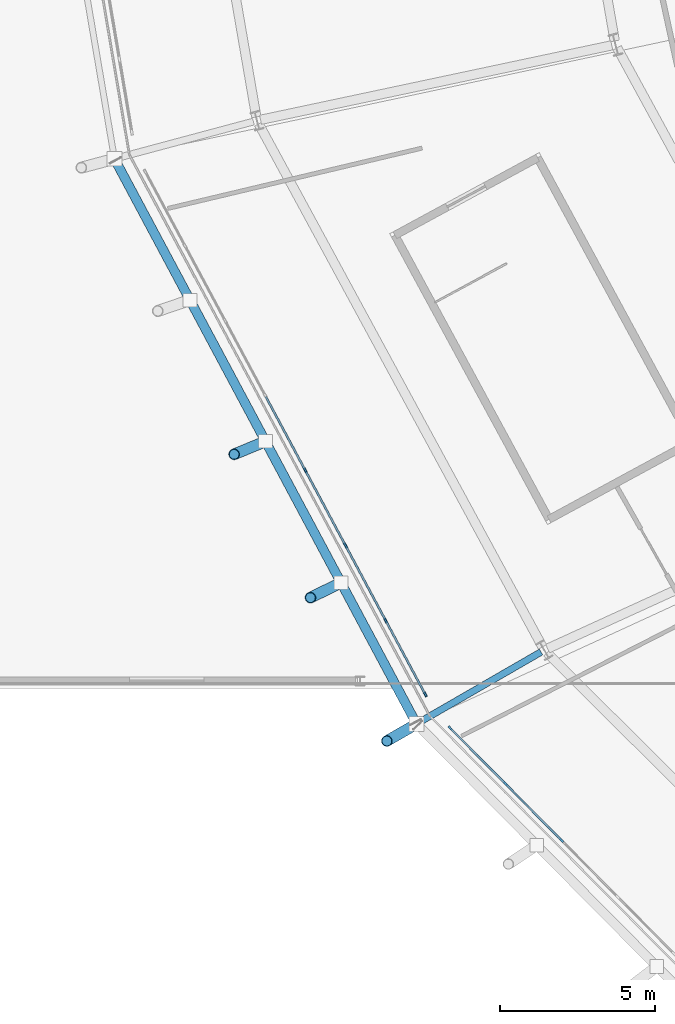
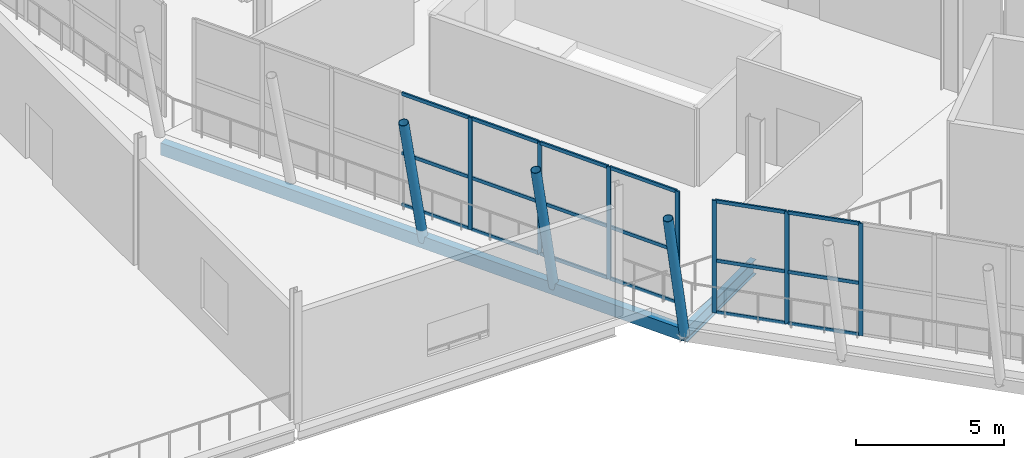
# One storey, part 16 of 126: 28 members, 2 beams, 2 elements without a shape of their own.
"""IFC4 building model written with IfcOpenShell, lengths in metres."""

from ifc_helpers import new_model, si_unit, direction, frame, origin, origin_2d, place, context, subcontext, project, spatial, rectangle, hollow_rectangle, hollow_circle, i_section, extrude, material, material_profile, profile_set, type_object, element, aggregate, save


model = new_model("IFC4")

# Units and contexts
model_context = context("Model", 3, precision=1e-05, world=origin(), true_north=direction((0.0, 1.0)))
body_context = subcontext(model_context, "Body", "Model", "MODEL_VIEW")
ifc_project = project(units=[si_unit("LENGTHUNIT", "METRE"), si_unit("AREAUNIT", "SQUARE_METRE"), si_unit("VOLUMEUNIT", "CUBIC_METRE"), si_unit("PLANEANGLEUNIT", "RADIAN"), si_unit("MASSUNIT", "GRAM", prefix="KILO")], contexts=[model_context])

# Site, building, storey
site_placement = place(None, origin())
site = spatial("IfcSite", under=ifc_project, at=site_placement, CompositionType="ELEMENT")
building_placement = place(site_placement, origin())
building = spatial("IfcBuilding", under=site, at=building_placement, Name="Zlatoyarsky Gate Stadium", CompositionType="ELEMENT")
storey_placement = place(building_placement, frame((0.0, 0.0, 20.800048828125)))
storey = spatial("IfcBuildingStorey", under=building, at=storey_placement, Name="L04", CompositionType="ELEMENT", Elevation=20.800048828125)

# Curtain wall, members
ifc_material_1 = material(Name="Thermally broken anodised aluminium curtain wall", Category="aluminium")
curtain_wall_type = type_object("IfcCurtainWallType", Name="UNITISED MEDIA RING GLAZING L04", PredefinedType="USERDEFINED", material=ifc_material_1)
curtain_wall_1_placement = place(storey_placement, origin())
curtain_wall_1 = element("IfcCurtainWall", 1, at=curtain_wall_1_placement, inside=storey, type_object=curtain_wall_type, Name="Curtain wall CW-L04-13", ObjectType="UNITISED GLAZING", PredefinedType="USERDEFINED")
ifc_material_2 = material(Name="Anodised aluminium 6063-T6", Category="aluminium")
ifc_material_profile_1 = material_profile(ifc_material_2, rectangle(XDim=0.06494140625, YDim=0.159912109375, at=origin_2d()), Name="ALU 65X160")
ifc_profile_set_1 = profile_set([ifc_material_profile_1], Name="Anodised aluminium 6063-T6")
member_type_1 = type_object("IfcMemberType", Name="ALUMINIUM MULLION 65X160", PredefinedType="MULLION", material=ifc_profile_set_1)
member_1_placement = place(storey_placement, frame((22.7353515625, 50.306396484375, 0.0), z_axis=(0.0, 0.0, 1.0), x_axis=(0.881520920878, 0.472144962966, 0.0)))
member_1 = element("IfcMember", 2, at=member_1_placement, type_object=member_type_1, Name="CW-UG4 mullion 5", PredefinedType="MULLION", context=body_context, shape_type="SweptSolid", body=[
    extrude(rectangle(XDim=0.06494140625, YDim=0.159912109375, at=origin_2d()), origin(), (0.0, 0.0, 1.0), 4.619873046875),
])
member_2_placement = place(storey_placement, frame((24.033203125, 47.8837890625, 0.0), z_axis=(0.0, 0.0, 1.0), x_axis=(0.881520920878, 0.472144962966, 0.0)))
member_2 = element("IfcMember", 3, at=member_2_placement, type_object=member_type_1, Name="CW-UG4 mullion 6", PredefinedType="MULLION", context=body_context, shape_type="SweptSolid", body=[
    extrude(rectangle(XDim=0.06494140625, YDim=0.159912109375, at=origin_2d()), origin(), (0.0, 0.0, 1.0), 4.619873046875),
])
member_3_placement = place(storey_placement, frame((25.330810546875, 45.4609375, 0.0), z_axis=(0.0, 0.0, 1.0), x_axis=(0.881520920878, 0.472144962966, 0.0)))
member_3 = element("IfcMember", 4, at=member_3_placement, type_object=member_type_1, Name="CW-UG4 mullion 7", PredefinedType="MULLION", context=body_context, shape_type="SweptSolid", body=[
    extrude(rectangle(XDim=0.06494140625, YDim=0.159912109375, at=origin_2d()), origin(), (0.0, 0.0, 1.0), 4.619873046875),
])
member_4_placement = place(storey_placement, frame((26.613037109375, 43.06689453125, 0.0), z_axis=(0.0, 0.0, 1.0), x_axis=(0.881520920878, 0.472144962966, 0.0)))
member_4 = element("IfcMember", 5, at=member_4_placement, type_object=member_type_1, Name="CW-UG4 mullion 8", PredefinedType="MULLION", context=body_context, shape_type="SweptSolid", body=[
    extrude(rectangle(XDim=0.06494140625, YDim=0.159912109375, at=origin_2d()), origin(), (0.0, 0.0, 1.0), 4.619873046875),
])

curtain_wall_2_placement = place(storey_placement, origin())
curtain_wall_2 = element("IfcCurtainWall", 6, at=curtain_wall_2_placement, inside=storey, type_object=curtain_wall_type, Name="Curtain wall CW-L04-14", ObjectType="UNITISED GLAZING", PredefinedType="USERDEFINED")
member_5_placement = place(storey_placement, frame((27.416015625, 41.980712890625, 0.0), z_axis=(0.0, 0.0, 1.0), x_axis=(0.709870536386, 0.704332181269, 0.0)))
member_5 = element("IfcMember", 7, at=member_5_placement, type_object=member_type_1, Name="CW-UG4 mullion 1", PredefinedType="MULLION", context=body_context, shape_type="SweptSolid", body=[
    extrude(rectangle(XDim=0.06494140625, YDim=0.159912109375, at=origin_2d()), origin(), (0.0, 0.0, 1.0), 4.619873046875),
])
member_6_placement = place(storey_placement, frame((29.20703125, 40.17578125, 0.0), z_axis=(0.0, 0.0, 1.0), x_axis=(0.709870536386, 0.704332181269, 0.0)))
member_6 = element("IfcMember", 8, at=member_6_placement, type_object=member_type_1, Name="CW-UG4 mullion 2", PredefinedType="MULLION", context=body_context, shape_type="SweptSolid", body=[
    extrude(rectangle(XDim=0.06494140625, YDim=0.159912109375, at=origin_2d()), origin(), (0.0, 0.0, 1.0), 4.619873046875),
])
member_7_placement = place(storey_placement, frame((31.020751953125, 38.34765625, 0.0), z_axis=(0.0, 0.0, 1.0), x_axis=(0.709870536386, 0.704332181269, 0.0)))
member_7 = element("IfcMember", 9, at=member_7_placement, type_object=member_type_1, Name="CW-UG4 mullion 3", PredefinedType="MULLION", context=body_context, shape_type="SweptSolid", body=[
    extrude(rectangle(XDim=0.06494140625, YDim=0.159912109375, at=origin_2d()), origin(), (0.0, 0.0, 1.0), 4.619873046875),
])

# Member
ifc_material_profile_2 = material_profile(ifc_material_2, rectangle(XDim=0.06494140625, YDim=0.139892578125, at=origin_2d()), Name="ALU 65X140")
ifc_profile_set_2 = profile_set([ifc_material_profile_2], Name="Anodised aluminium 6063-T6")
member_type_2 = type_object("IfcMemberType", Name="ALUMINIUM TRANSOM 65X140", PredefinedType="USERDEFINED", material=ifc_profile_set_2)
member_8_placement = place(storey_placement, frame((21.453125, 52.70068359375, 0.032470703125), z_axis=(0.47218354153, -0.88150025701, 0.0), x_axis=(0.88150025701, 0.47218354153, 0.0)))
member_8 = element("IfcMember", 10, at=member_8_placement, type_object=member_type_2, Name="CW-UG4 transom 4.1", ObjectType="TRANSOM", PredefinedType="USERDEFINED", context=body_context, shape_type="SweptSolid", body=[
    extrude(rectangle(XDim=0.06494140625, YDim=0.139892578125, at=origin_2d()), origin(), (0.0, 0.0, 1.0), 2.683349609375),
])

member_9_placement = place(storey_placement, frame((21.453125, 52.70068359375, 2.14990234375), z_axis=(0.47218354153, -0.88150025701, 0.0), x_axis=(0.88150025701, 0.47218354153, 0.0)))
member_9 = element("IfcMember", 11, at=member_9_placement, type_object=member_type_2, Name="CW-UG4 transom 4.2", ObjectType="TRANSOM", PredefinedType="USERDEFINED", context=body_context, shape_type="SweptSolid", body=[
    extrude(rectangle(XDim=0.06494140625, YDim=0.139892578125, at=origin_2d()), origin(), (0.0, 0.0, 1.0), 2.683349609375),
])

member_10_placement = place(storey_placement, frame((21.453125, 52.70068359375, 4.58740234375), z_axis=(0.47218354153, -0.88150025701, 0.0), x_axis=(0.88150025701, 0.47218354153, 0.0)))
member_10 = element("IfcMember", 12, at=member_10_placement, type_object=member_type_2, Name="CW-UG4 transom 4.3", ObjectType="TRANSOM", PredefinedType="USERDEFINED", context=body_context, shape_type="SweptSolid", body=[
    extrude(rectangle(XDim=0.06494140625, YDim=0.139892578125, at=origin_2d()), origin(), (0.0, 0.0, 1.0), 2.683349609375),
])

member_11_placement = place(storey_placement, frame((22.750732421875, 50.27783203125, 0.032470703125), z_axis=(0.47218354153, -0.88150025701, 0.0), x_axis=(0.88150025701, 0.47218354153, 0.0)))
member_11 = element("IfcMember", 13, at=member_11_placement, type_object=member_type_2, Name="CW-UG4 transom 5.1", ObjectType="TRANSOM", PredefinedType="USERDEFINED", context=body_context, shape_type="SweptSolid", body=[
    extrude(rectangle(XDim=0.06494140625, YDim=0.139892578125, at=origin_2d()), origin(), (0.0, 0.0, 1.0), 2.683349609375),
])

member_12_placement = place(storey_placement, frame((22.750732421875, 50.27783203125, 2.14990234375), z_axis=(0.47218354153, -0.88150025701, 0.0), x_axis=(0.88150025701, 0.47218354153, 0.0)))
member_12 = element("IfcMember", 14, at=member_12_placement, type_object=member_type_2, Name="CW-UG4 transom 5.2", ObjectType="TRANSOM", PredefinedType="USERDEFINED", context=body_context, shape_type="SweptSolid", body=[
    extrude(rectangle(XDim=0.06494140625, YDim=0.139892578125, at=origin_2d()), origin(), (0.0, 0.0, 1.0), 2.683349609375),
])

member_13_placement = place(storey_placement, frame((22.750732421875, 50.27783203125, 4.58740234375), z_axis=(0.47218354153, -0.88150025701, 0.0), x_axis=(0.88150025701, 0.47218354153, 0.0)))
member_13 = element("IfcMember", 15, at=member_13_placement, type_object=member_type_2, Name="CW-UG4 transom 5.3", ObjectType="TRANSOM", PredefinedType="USERDEFINED", context=body_context, shape_type="SweptSolid", body=[
    extrude(rectangle(XDim=0.06494140625, YDim=0.139892578125, at=origin_2d()), origin(), (0.0, 0.0, 1.0), 2.683349609375),
])

member_14_placement = place(storey_placement, frame((24.04833984375, 47.85498046875, 0.032470703125), z_axis=(0.47218354153, -0.88150025701, 0.0), x_axis=(0.88150025701, 0.47218354153, 0.0)))
member_14 = element("IfcMember", 16, at=member_14_placement, type_object=member_type_2, Name="CW-UG4 transom 6.1", ObjectType="TRANSOM", PredefinedType="USERDEFINED", context=body_context, shape_type="SweptSolid", body=[
    extrude(rectangle(XDim=0.06494140625, YDim=0.139892578125, at=origin_2d()), origin(), (0.0, 0.0, 1.0), 2.683349609375),
])

member_15_placement = place(storey_placement, frame((24.04833984375, 47.85498046875, 2.14990234375), z_axis=(0.47218354153, -0.88150025701, 0.0), x_axis=(0.88150025701, 0.47218354153, 0.0)))
member_15 = element("IfcMember", 17, at=member_15_placement, type_object=member_type_2, Name="CW-UG4 transom 6.2", ObjectType="TRANSOM", PredefinedType="USERDEFINED", context=body_context, shape_type="SweptSolid", body=[
    extrude(rectangle(XDim=0.06494140625, YDim=0.139892578125, at=origin_2d()), origin(), (0.0, 0.0, 1.0), 2.683349609375),
])

member_16_placement = place(storey_placement, frame((24.04833984375, 47.85498046875, 4.58740234375), z_axis=(0.47218354153, -0.88150025701, 0.0), x_axis=(0.88150025701, 0.47218354153, 0.0)))
member_16 = element("IfcMember", 18, at=member_16_placement, type_object=member_type_2, Name="CW-UG4 transom 6.3", ObjectType="TRANSOM", PredefinedType="USERDEFINED", context=body_context, shape_type="SweptSolid", body=[
    extrude(rectangle(XDim=0.06494140625, YDim=0.139892578125, at=origin_2d()), origin(), (0.0, 0.0, 1.0), 2.683349609375),
])

member_17_placement = place(storey_placement, frame((25.34619140625, 45.432373046875, 0.032470703125), z_axis=(0.472088510191, -0.881551154809, 0.0), x_axis=(0.881551154809, 0.472088510191, 0.0)))
member_17 = element("IfcMember", 19, at=member_17_placement, type_object=member_type_2, Name="CW-UG4 transom 7.1", ObjectType="TRANSOM", PredefinedType="USERDEFINED", context=body_context, shape_type="SweptSolid", body=[
    extrude(rectangle(XDim=0.06494140625, YDim=0.139892578125, at=origin_2d()), origin(), (0.0, 0.0, 1.0), 2.65087890625),
])

member_18_placement = place(storey_placement, frame((25.34619140625, 45.432373046875, 2.14990234375), z_axis=(0.472088510191, -0.881551154809, 0.0), x_axis=(0.881551154809, 0.472088510191, 0.0)))
member_18 = element("IfcMember", 20, at=member_18_placement, type_object=member_type_2, Name="CW-UG4 transom 7.2", ObjectType="TRANSOM", PredefinedType="USERDEFINED", context=body_context, shape_type="SweptSolid", body=[
    extrude(rectangle(XDim=0.06494140625, YDim=0.139892578125, at=origin_2d()), origin(), (0.0, 0.0, 1.0), 2.65087890625),
])

member_19_placement = place(storey_placement, frame((25.34619140625, 45.432373046875, 4.58740234375), z_axis=(0.472088510191, -0.881551154809, 0.0), x_axis=(0.881551154809, 0.472088510191, 0.0)))
member_19 = element("IfcMember", 21, at=member_19_placement, type_object=member_type_2, Name="CW-UG4 transom 7.3", ObjectType="TRANSOM", PredefinedType="USERDEFINED", context=body_context, shape_type="SweptSolid", body=[
    extrude(rectangle(XDim=0.06494140625, YDim=0.139892578125, at=origin_2d()), origin(), (0.0, 0.0, 1.0), 2.65087890625),
])

aggregate(curtain_wall_1, [member_1, member_2, member_3, member_4, member_8, member_9, member_10, member_11, member_12, member_13, member_14, member_15, member_16, member_17, member_18, member_19])

member_20_placement = place(storey_placement, frame((27.43896484375, 41.957763671875, 0.032470703125), z_axis=(0.704293097674, -0.709909312919, 0.0), x_axis=(0.709909312919, 0.704293097674, 0.0)))
member_20 = element("IfcMember", 22, at=member_20_placement, type_object=member_type_2, Name="CW-UG4 transom 1.1", ObjectType="TRANSOM", PredefinedType="USERDEFINED", context=body_context, shape_type="SweptSolid", body=[
    extrude(rectangle(XDim=0.06494140625, YDim=0.139892578125, at=origin_2d()), origin(), (0.0, 0.0, 1.0), 2.477783203125),
])

member_21_placement = place(storey_placement, frame((27.43896484375, 41.957763671875, 2.14990234375), z_axis=(0.704293097674, -0.709909312919, 0.0), x_axis=(0.709909312919, 0.704293097674, 0.0)))
member_21 = element("IfcMember", 23, at=member_21_placement, type_object=member_type_2, Name="CW-UG4 transom 1.2", ObjectType="TRANSOM", PredefinedType="USERDEFINED", context=body_context, shape_type="SweptSolid", body=[
    extrude(rectangle(XDim=0.06494140625, YDim=0.139892578125, at=origin_2d()), origin(), (0.0, 0.0, 1.0), 2.477783203125),
])

member_22_placement = place(storey_placement, frame((27.43896484375, 41.957763671875, 4.58740234375), z_axis=(0.704293097674, -0.709909312919, 0.0), x_axis=(0.709909312919, 0.704293097674, 0.0)))
member_22 = element("IfcMember", 24, at=member_22_placement, type_object=member_type_2, Name="CW-UG4 transom 1.3", ObjectType="TRANSOM", PredefinedType="USERDEFINED", context=body_context, shape_type="SweptSolid", body=[
    extrude(rectangle(XDim=0.06494140625, YDim=0.139892578125, at=origin_2d()), origin(), (0.0, 0.0, 1.0), 2.477783203125),
])

member_23_placement = place(storey_placement, frame((29.229736328125, 40.152587890625, 0.032470703125), z_axis=(0.70432954627, -0.709873150818, 0.0), x_axis=(0.709873150818, 0.70432954627, 0.0)))
member_23 = element("IfcMember", 25, at=member_23_placement, type_object=member_type_2, Name="CW-UG4 transom 2.1", ObjectType="TRANSOM", PredefinedType="USERDEFINED", context=body_context, shape_type="SweptSolid", body=[
    extrude(rectangle(XDim=0.06494140625, YDim=0.139892578125, at=origin_2d()), origin(), (0.0, 0.0, 1.0), 2.51025390625),
])

member_24_placement = place(storey_placement, frame((29.229736328125, 40.152587890625, 2.14990234375), z_axis=(0.70432954627, -0.709873150818, 0.0), x_axis=(0.709873150818, 0.70432954627, 0.0)))
member_24 = element("IfcMember", 26, at=member_24_placement, type_object=member_type_2, Name="CW-UG4 transom 2.2", ObjectType="TRANSOM", PredefinedType="USERDEFINED", context=body_context, shape_type="SweptSolid", body=[
    extrude(rectangle(XDim=0.06494140625, YDim=0.139892578125, at=origin_2d()), origin(), (0.0, 0.0, 1.0), 2.51025390625),
])

member_25_placement = place(storey_placement, frame((29.229736328125, 40.152587890625, 4.58740234375), z_axis=(0.70432954627, -0.709873150818, 0.0), x_axis=(0.709873150818, 0.70432954627, 0.0)))
member_25 = element("IfcMember", 27, at=member_25_placement, type_object=member_type_2, Name="CW-UG4 transom 2.3", ObjectType="TRANSOM", PredefinedType="USERDEFINED", context=body_context, shape_type="SweptSolid", body=[
    extrude(rectangle(XDim=0.06494140625, YDim=0.139892578125, at=origin_2d()), origin(), (0.0, 0.0, 1.0), 2.51025390625),
])

aggregate(curtain_wall_2, [member_5, member_6, member_7, member_20, member_21, member_22, member_23, member_24, member_25])

# Beam
ifc_material_3 = material(Name="Steel S355", Category="steel")
ifc_material_profile_3 = material_profile(ifc_material_3, i_section(OverallWidth=0.219970703125, OverallDepth=0.60009765625, WebThickness=0.011962890625, FlangeThickness=0.01904296875, FilletRadius=0.02392578125, at=origin_2d()), Name="IPE 600")
ifc_profile_set_3 = profile_set([ifc_material_profile_3], Name="Steel S355")
beam_type_1 = type_object("IfcBeamType", Name="STEEL CANTILEVER FLOOR BEAM IPE 600", PredefinedType="BEAM", material=ifc_profile_set_3)
beam_1_placement = place(storey_placement, frame((30.355712890625, 44.43994140625, -0.60009765625), z_axis=(-0.866030814921, -0.499990627519, 0.0), x_axis=(0.499990627519, -0.866030814921, 0.0)))
element("IfcBeam", 28, at=beam_1_placement, inside=storey, type_object=beam_type_1, Name="Beam B-IPE600 BM-L04-OUT-14", PredefinedType="BEAM", context=body_context, shape_type="SweptSolid", body=[
    extrude(i_section(OverallWidth=0.219970703125, OverallDepth=0.60009765625, WebThickness=0.011962890625, FlangeThickness=0.01904296875, FilletRadius=0.02392578125, at=origin_2d()), origin(), (0.0, 0.0, 1.0), 4.6494140625),
])

# Members
ifc_material_profile_4 = material_profile(ifc_material_3, hollow_circle(Radius=0.177734375, WallThickness=0.02001953125, at=origin_2d()), Name="CHS 355.6X20")
ifc_profile_set_4 = profile_set([ifc_material_profile_4], Name="Steel S355")
member_type_3 = type_object("IfcMemberType", Name="STEEL LEANING RIB RING STRUT CHS 355.6X20", PredefinedType="STRUT", material=ifc_profile_set_4)
member_26_placement = place(storey_placement, frame((26.3291015625, 42.115234375, -0.60009765625), z_axis=(-0.172912265189, -0.09982473092, 0.979865486505), x_axis=(0.49997666526, -0.866038875684, 0.0)))
element("IfcMember", 29, at=member_26_placement, inside=storey, type_object=member_type_3, Name="Leaning ring strut 14 L04 to L05", PredefinedType="STRUT", context=body_context, shape_type="SweptSolid", body=[
    extrude(hollow_circle(Radius=0.177734375, WallThickness=0.02001953125, at=origin_2d()), origin(), (0.0, 0.0, 1.0), 5.5517578125),
])
member_27_placement = place(storey_placement, frame((21.4453125, 51.252197265625, -0.550048828125), z_axis=(-0.182914317076, -0.075752393941, 0.980206063754), x_axis=(0.382626535499, -0.923903097912, 0.0)))
element("IfcMember", 30, at=member_27_placement, inside=storey, type_object=member_type_3, Name="Outward-leaning bowl louvre fin rib L04 13-2", PredefinedType="STRUT", context=body_context, shape_type="SweptSolid", body=[
    extrude(hollow_circle(Radius=0.177734375, WallThickness=0.02001953125, at=origin_2d()), origin(), (0.0, 0.0, 1.0), 5.5498046875),
])
member_28_placement = place(storey_placement, frame((23.88720703125, 46.683837890625, -0.550048828125), z_axis=(-0.177926851198, -0.087841760653, 0.980115228281), x_axis=(0.442685702063, -0.896676847693, 0.0)))
element("IfcMember", 31, at=member_28_placement, inside=storey, type_object=member_type_3, Name="Outward-leaning bowl louvre fin rib L04 13-3", PredefinedType="STRUT", context=body_context, shape_type="SweptSolid", body=[
    extrude(hollow_circle(Radius=0.177734375, WallThickness=0.02001953125, at=origin_2d()), origin(), (0.0, 0.0, 1.0), 5.55029296875),
])

# Beam
ifc_material_profile_5 = material_profile(ifc_material_3, hollow_rectangle(XDim=0.300048828125, YDim=0.5, WallThickness=0.02001953125, at=origin_2d()), Name="RHS 500X300X20")
ifc_profile_set_5 = profile_set([ifc_material_profile_5], Name="Steel S355")
beam_type_2 = type_object("IfcBeamType", Name="STEEL LOUVRE CARRIER SPANDREL RHS 500X300X20", PredefinedType="SPANDREL", material=ifc_profile_set_5)
beam_2_placement = place(storey_placement, frame((16.5712890625, 60.371826171875, -0.550048828125), z_axis=(0.471371730218, -0.881934630203, 0.0), x_axis=(0.881934630203, 0.471371730218, 0.0)))
element("IfcBeam", 32, at=beam_2_placement, inside=storey, type_object=beam_type_2, Name="Beam SP-RHS500 BM-L04-SPD-13", PredefinedType="SPANDREL", context=body_context, shape_type="SweptSolid", body=[
    extrude(hollow_rectangle(XDim=0.300048828125, YDim=0.5, WallThickness=0.02001953125, at=origin_2d()), origin(), (0.0, 0.0, 1.0), 20.6806640625),
])

save(model, "model.ifc")
